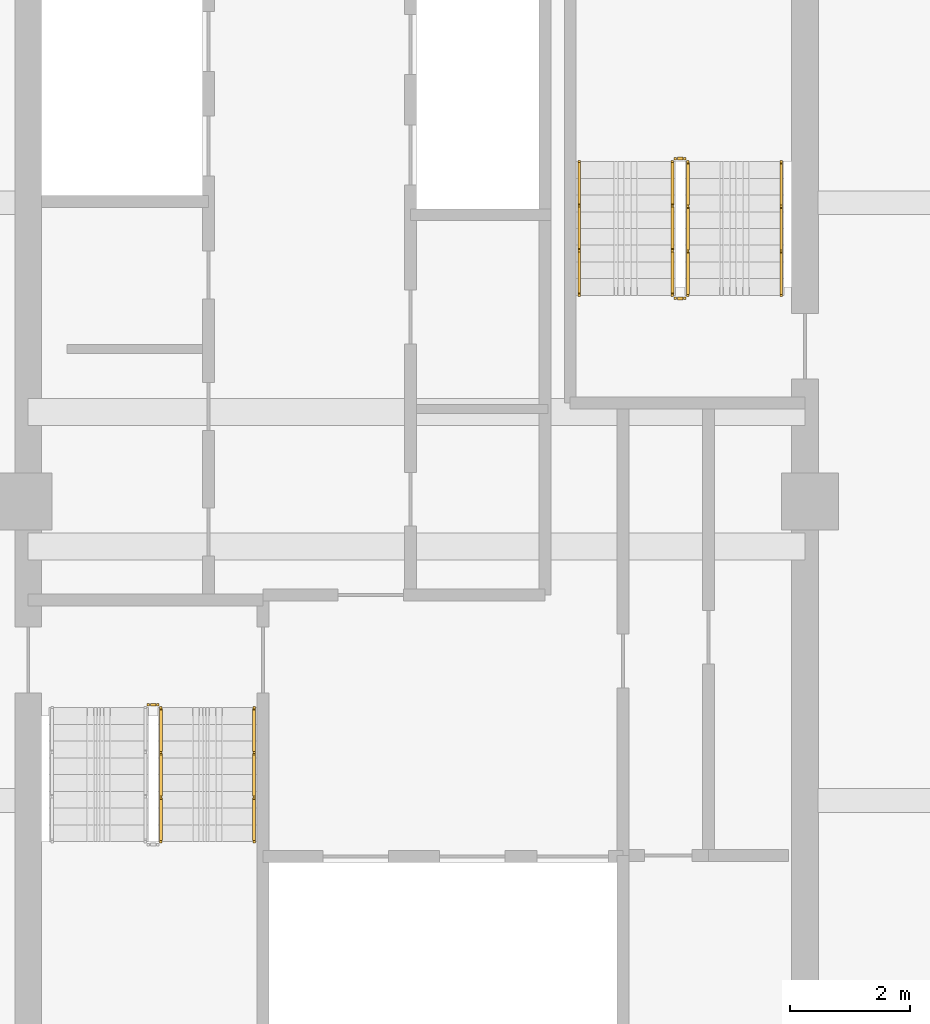
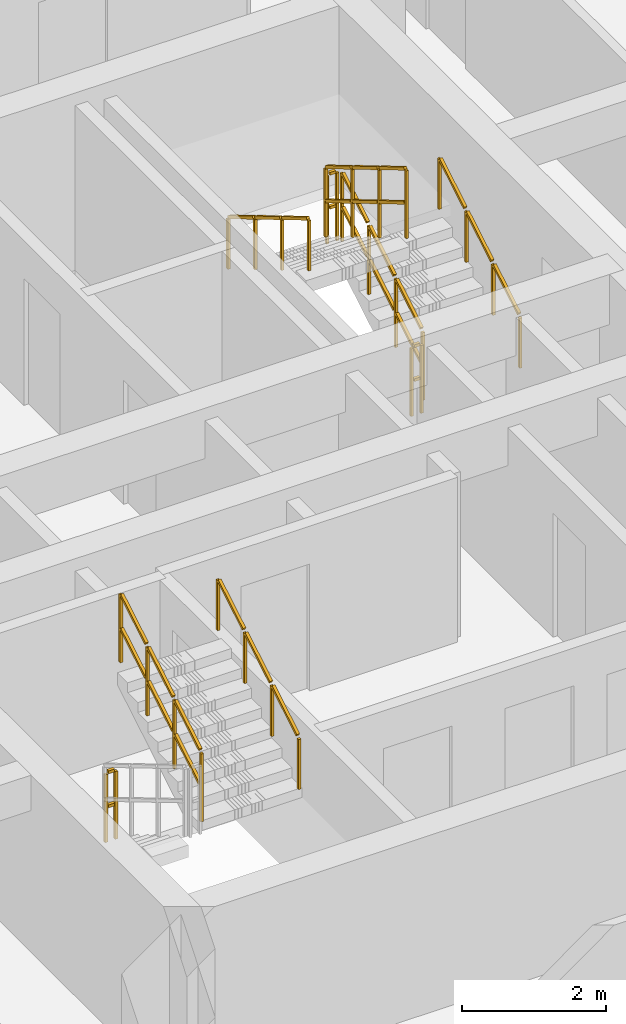
# One storey, part 10 of 12: 9 railings.
"""IFC4 building model written with IfcOpenShell, lengths in metres."""

from ifc_helpers import new_model, si_unit, direction, frame, origin, origin_2d, place, context, subcontext, project, spatial, rectangle, extrude, material, type_object, element, save


model = new_model("IFC4")

# Units and contexts
model_context = context("Model", 3, precision=1e-05, world=origin(), true_north=direction((0.0, 1.0)))
body_context = subcontext(model_context, "Body", "Model", "MODEL_VIEW")
ifc_project = project(units=[si_unit("LENGTHUNIT", "METRE"), si_unit("AREAUNIT", "SQUARE_METRE"), si_unit("VOLUMEUNIT", "CUBIC_METRE"), si_unit("PLANEANGLEUNIT", "RADIAN"), si_unit("MASSUNIT", "GRAM", prefix="KILO")], contexts=[model_context])

# Site, building, storey
site_placement = place(None, origin())
site = spatial("IfcSite", under=ifc_project, at=site_placement, CompositionType="ELEMENT")
building_placement = place(site_placement, origin())
building = spatial("IfcBuilding", under=site, at=building_placement, Name="Saelheon Loggia Tower", CompositionType="ELEMENT")
storey_placement = place(building_placement, frame((0.0, 0.0, 240.0)))
storey = spatial("IfcBuildingStorey", under=building, at=storey_placement, Name="L74", CompositionType="ELEMENT", Elevation=240.0)

# Railings
ifc_material_1 = material(Name="Galvanised Steel S275 Stairwell Guardrail", Category="steel")
railing_type_1 = type_object("IfcRailingType", Name="Guard_StairWell_RL_STG", PredefinedType="GUARDRAIL", material=ifc_material_1)
railing_1_placement = place(storey_placement, frame((33.719970703125, 21.31005859375, 1.666748046875)))
element("IfcRailing", 1, at=railing_1_placement, inside=storey, type_object=railing_type_1, Name="L74 ST1 stair guard 3", PredefinedType="GUARDRAIL", context=body_context, shape_type="SweptSolid", body=[
    extrude(rectangle(XDim=0.048095703125, YDim=0.048095703125, at=origin_2d()), frame((0.0, 0.028564453125, 1.19287109375), z_axis=(0.0, 0.859305625298, 0.511462454469), x_axis=(-1.0, 0.0, 0.0)), (0.0, 0.0, 1.0), 0.802490234375),
    extrude(rectangle(XDim=0.048095703125, YDim=0.048095703125, at=origin_2d()), frame((0.0, 0.028564453125, 0.616943359375), z_axis=(0.0, 0.859305625298, 0.511462454469), x_axis=(-1.0, 0.0, 0.0)), (0.0, 0.0, 1.0), 0.802490234375),
    extrude(rectangle(XDim=0.048095703125, YDim=0.048095703125, at=origin_2d()), frame((0.0, 0.775146484375, 1.63720703125), z_axis=(0.0, 0.859305625298, 0.511462454469), x_axis=(-1.0, 0.0, 0.0)), (0.0, 0.0, 1.0), 0.802490234375),
    extrude(rectangle(XDim=0.048095703125, YDim=0.048095703125, at=origin_2d()), frame((0.0, 0.775146484375, 1.061279296875), z_axis=(0.0, 0.859305625298, 0.511462454469), x_axis=(-1.0, 0.0, 0.0)), (0.0, 0.0, 1.0), 0.802490234375),
    extrude(rectangle(XDim=0.048095703125, YDim=0.048095703125, at=origin_2d()), frame((0.0, 1.52197265625, 2.081787109375), z_axis=(0.0, 0.859305625298, 0.511462454469), x_axis=(-1.0, 0.0, 0.0)), (0.0, 0.0, 1.0), 0.802490234375),
    extrude(rectangle(XDim=0.048095703125, YDim=0.048095703125, at=origin_2d()), frame((0.0, 1.52197265625, 1.505859375), z_axis=(0.0, 0.859305625298, 0.511462454469), x_axis=(-1.0, 0.0, 0.0)), (0.0, 0.0, 1.0), 0.802490234375),
    extrude(rectangle(XDim=0.0419921875, YDim=0.0419921875, at=origin_2d()), origin(), (0.0, 0.0, 1.0), 1.14794921875),
    extrude(rectangle(XDim=0.0419921875, YDim=0.0419921875, at=origin_2d()), frame((0.0, 0.74658203125, 0.4443359375)), (0.0, 0.0, 1.0), 1.14794921875),
    extrude(rectangle(XDim=0.0419921875, YDim=0.0419921875, at=origin_2d()), frame((0.0, 1.493408203125, 0.888916015625)), (0.0, 0.0, 1.0), 1.14794921875),
    extrude(rectangle(XDim=0.0419921875, YDim=0.0419921875, at=origin_2d()), frame((0.0, 2.239990234375, 1.333251953125)), (0.0, 0.0, 1.0), 1.14794921875),
])
railing_2_placement = place(storey_placement, frame((33.510009765625, 23.60009765625, 0.0)))
element("IfcRailing", 2, at=railing_2_placement, inside=storey, type_object=railing_type_1, Name="L74 ST1 stair guard 4", PredefinedType="GUARDRAIL", context=body_context, shape_type="SweptSolid", body=[
    extrude(rectangle(XDim=0.048095703125, YDim=0.048095703125, at=origin_2d()), frame((0.033203125, 0.0, 1.17578125), z_axis=(1.0, 0.0, 0.0), x_axis=(0.0, 1.0, 0.0)), (0.0, 0.0, 1.0), 0.093505859375),
    extrude(rectangle(XDim=0.048095703125, YDim=0.048095703125, at=origin_2d()), frame((0.033203125, 0.0, 0.60009765625), z_axis=(1.0, 0.0, 0.0), x_axis=(0.0, 1.0, 0.0)), (0.0, 0.0, 1.0), 0.093505859375),
    extrude(rectangle(XDim=0.0419921875, YDim=0.0419921875, at=origin_2d()), origin(), (0.0, 0.0, 1.0), 1.14794921875),
    extrude(rectangle(XDim=0.0419921875, YDim=0.0419921875, at=origin_2d()), frame((0.159912109375, 0.0, 0.0)), (0.0, 0.0, 1.0), 1.14794921875),
])
railing_3_placement = place(storey_placement, frame((42.5400390625, 30.449951171875, 0.166748046875)))
element("IfcRailing", 3, at=railing_3_placement, inside=storey, type_object=railing_type_1, Name="L74 ST2 stair guard 1", PredefinedType="GUARDRAIL", context=body_context, shape_type="SweptSolid", body=[
    extrude(rectangle(XDim=0.048095703125, YDim=0.048095703125, at=origin_2d()), frame((0.0, 0.028564453125, 1.19287109375), z_axis=(0.0, 0.859305625298, 0.511462454469), x_axis=(-1.0, 0.0, 0.0)), (0.0, 0.0, 1.0), 0.802490234375),
    extrude(rectangle(XDim=0.048095703125, YDim=0.048095703125, at=origin_2d()), frame((0.0, 0.028564453125, 0.616943359375), z_axis=(0.0, 0.859305625298, 0.511462454469), x_axis=(-1.0, 0.0, 0.0)), (0.0, 0.0, 1.0), 0.802490234375),
    extrude(rectangle(XDim=0.048095703125, YDim=0.048095703125, at=origin_2d()), frame((0.0, 0.775146484375, 1.63720703125), z_axis=(0.0, 0.859305625298, 0.511462454469), x_axis=(-1.0, 0.0, 0.0)), (0.0, 0.0, 1.0), 0.802490234375),
    extrude(rectangle(XDim=0.048095703125, YDim=0.048095703125, at=origin_2d()), frame((0.0, 0.775146484375, 1.061279296875), z_axis=(0.0, 0.859305625298, 0.511462454469), x_axis=(-1.0, 0.0, 0.0)), (0.0, 0.0, 1.0), 0.802490234375),
    extrude(rectangle(XDim=0.048095703125, YDim=0.048095703125, at=origin_2d()), frame((0.0, 1.52197265625, 2.081787109375), z_axis=(0.0, 0.859305625298, 0.511462454469), x_axis=(-1.0, 0.0, 0.0)), (0.0, 0.0, 1.0), 0.802490234375),
    extrude(rectangle(XDim=0.048095703125, YDim=0.048095703125, at=origin_2d()), frame((0.0, 1.52197265625, 1.505859375), z_axis=(0.0, 0.859305625298, 0.511462454469), x_axis=(-1.0, 0.0, 0.0)), (0.0, 0.0, 1.0), 0.802490234375),
    extrude(rectangle(XDim=0.0419921875, YDim=0.0419921875, at=origin_2d()), origin(), (0.0, 0.0, 1.0), 1.14794921875),
    extrude(rectangle(XDim=0.0419921875, YDim=0.0419921875, at=origin_2d()), frame((0.0, 0.74658203125, 0.4443359375)), (0.0, 0.0, 1.0), 1.14794921875),
    extrude(rectangle(XDim=0.0419921875, YDim=0.0419921875, at=origin_2d()), frame((0.0, 1.493408203125, 0.888916015625)), (0.0, 0.0, 1.0), 1.14794921875),
    extrude(rectangle(XDim=0.0419921875, YDim=0.0419921875, at=origin_2d()), frame((0.0, 2.239990234375, 1.333251953125)), (0.0, 0.0, 1.0), 1.14794921875),
])
railing_4_placement = place(storey_placement, frame((42.489990234375, 32.739990234375, 1.5)))
element("IfcRailing", 4, at=railing_4_placement, inside=storey, type_object=railing_type_1, Name="L74 ST2 stair guard 2", PredefinedType="GUARDRAIL", context=body_context, shape_type="SweptSolid", body=[
    extrude(rectangle(XDim=0.048095703125, YDim=0.048095703125, at=origin_2d()), frame((-0.033203125, 0.0, 1.17578125), z_axis=(-1.0, 0.0, 0.0), x_axis=(0.0, -1.0, 0.0)), (0.0, 0.0, 1.0), 0.093505859375),
    extrude(rectangle(XDim=0.048095703125, YDim=0.048095703125, at=origin_2d()), frame((-0.033203125, 0.0, 0.60009765625), z_axis=(-1.0, 0.0, 0.0), x_axis=(0.0, -1.0, 0.0)), (0.0, 0.0, 1.0), 0.093505859375),
    extrude(rectangle(XDim=0.0419921875, YDim=0.0419921875, at=origin_2d()), origin(), (0.0, 0.0, 1.0), 1.14794921875),
    extrude(rectangle(XDim=0.0419921875, YDim=0.0419921875, at=origin_2d()), frame((-0.159912109375, 0.0, 0.0)), (0.0, 0.0, 1.0), 1.14794921875),
])
railing_5_placement = place(storey_placement, frame((42.280029296875, 32.68994140625, 1.666748046875)))
element("IfcRailing", 5, at=railing_5_placement, inside=storey, type_object=railing_type_1, Name="L74 ST2 stair guard 3", PredefinedType="GUARDRAIL", context=body_context, shape_type="SweptSolid", body=[
    extrude(rectangle(XDim=0.048095703125, YDim=0.048095703125, at=origin_2d()), frame((0.0, -0.028564453125, 1.19287109375), z_axis=(0.0, -0.859305625298, 0.511462454469), x_axis=(1.0, 0.0, 0.0)), (0.0, 0.0, 1.0), 0.802490234375),
    extrude(rectangle(XDim=0.048095703125, YDim=0.048095703125, at=origin_2d()), frame((0.0, -0.028564453125, 0.616943359375), z_axis=(0.0, -0.859305625298, 0.511462454469), x_axis=(1.0, 0.0, 0.0)), (0.0, 0.0, 1.0), 0.802490234375),
    extrude(rectangle(XDim=0.048095703125, YDim=0.048095703125, at=origin_2d()), frame((0.0, -0.775146484375, 1.63720703125), z_axis=(0.0, -0.859305625298, 0.511462454469), x_axis=(1.0, 0.0, 0.0)), (0.0, 0.0, 1.0), 0.802490234375),
    extrude(rectangle(XDim=0.048095703125, YDim=0.048095703125, at=origin_2d()), frame((0.0, -0.775146484375, 1.061279296875), z_axis=(0.0, -0.859305625298, 0.511462454469), x_axis=(1.0, 0.0, 0.0)), (0.0, 0.0, 1.0), 0.802490234375),
    extrude(rectangle(XDim=0.048095703125, YDim=0.048095703125, at=origin_2d()), frame((0.0, -1.52197265625, 2.081787109375), z_axis=(0.0, -0.859305625298, 0.511462454469), x_axis=(1.0, 0.0, 0.0)), (0.0, 0.0, 1.0), 0.802490234375),
    extrude(rectangle(XDim=0.048095703125, YDim=0.048095703125, at=origin_2d()), frame((0.0, -1.52197265625, 1.505859375), z_axis=(0.0, -0.859305625298, 0.511462454469), x_axis=(1.0, 0.0, 0.0)), (0.0, 0.0, 1.0), 0.802490234375),
    extrude(rectangle(XDim=0.0419921875, YDim=0.0419921875, at=origin_2d()), origin(), (0.0, 0.0, 1.0), 1.14794921875),
    extrude(rectangle(XDim=0.0419921875, YDim=0.0419921875, at=origin_2d()), frame((0.0, -0.74658203125, 0.4443359375)), (0.0, 0.0, 1.0), 1.14794921875),
    extrude(rectangle(XDim=0.0419921875, YDim=0.0419921875, at=origin_2d()), frame((0.0, -1.493408203125, 0.888916015625)), (0.0, 0.0, 1.0), 1.14794921875),
    extrude(rectangle(XDim=0.0419921875, YDim=0.0419921875, at=origin_2d()), frame((0.0, -2.239990234375, 1.333251953125)), (0.0, 0.0, 1.0), 1.14794921875),
])
railing_6_placement = place(storey_placement, frame((42.489990234375, 30.39990234375, 0.0)))
element("IfcRailing", 6, at=railing_6_placement, inside=storey, type_object=railing_type_1, Name="L74 ST2 stair guard 4", PredefinedType="GUARDRAIL", context=body_context, shape_type="SweptSolid", body=[
    extrude(rectangle(XDim=0.048095703125, YDim=0.048095703125, at=origin_2d()), frame((-0.033203125, 0.0, 1.17578125), z_axis=(-1.0, 0.0, 0.0), x_axis=(0.0, -1.0, 0.0)), (0.0, 0.0, 1.0), 0.093505859375),
    extrude(rectangle(XDim=0.048095703125, YDim=0.048095703125, at=origin_2d()), frame((-0.033203125, 0.0, 0.60009765625), z_axis=(-1.0, 0.0, 0.0), x_axis=(0.0, -1.0, 0.0)), (0.0, 0.0, 1.0), 0.093505859375),
    extrude(rectangle(XDim=0.0419921875, YDim=0.0419921875, at=origin_2d()), origin(), (0.0, 0.0, 1.0), 1.14794921875),
    extrude(rectangle(XDim=0.0419921875, YDim=0.0419921875, at=origin_2d()), frame((-0.159912109375, 0.0, 0.0)), (0.0, 0.0, 1.0), 1.14794921875),
])
ifc_material_2 = material(Name="Stainless Steel 304 Tubular Handrail", Category="steel")
railing_type_2 = type_object("IfcRailingType", Name="Handrail_Stair_RL_HR1", PredefinedType="HANDRAIL", material=ifc_material_2)
for number, where, name in (
    (7, (35.280029296875, 21.31005859375, 1.666748046875), "L74 ST1 stair handrail 2"),
    (8, (44.10009765625, 30.449951171875, 0.166748046875), "L74 ST2 stair handrail 1"),
):
    element("IfcRailing", number, at=place(storey_placement, frame(where)), inside=storey, type_object=railing_type_2, Name=name, PredefinedType="HANDRAIL", context=body_context, shape_type="SweptSolid", body=[
        extrude(rectangle(XDim=0.048095703125, YDim=0.048095703125, at=origin_2d()), frame((0.0, 0.028564453125, 0.892822265625), z_axis=(0.0, 0.859305625298, 0.511462454469), x_axis=(-1.0, 0.0, 0.0)), (0.0, 0.0, 1.0), 0.802490234375),
        extrude(rectangle(XDim=0.048095703125, YDim=0.048095703125, at=origin_2d()), frame((0.0, 0.775146484375, 1.337158203125), z_axis=(0.0, 0.859305625298, 0.511462454469), x_axis=(-1.0, 0.0, 0.0)), (0.0, 0.0, 1.0), 0.802490234375),
        extrude(rectangle(XDim=0.048095703125, YDim=0.048095703125, at=origin_2d()), frame((0.0, 1.52197265625, 1.78173828125), z_axis=(0.0, 0.859305625298, 0.511462454469), x_axis=(-1.0, 0.0, 0.0)), (0.0, 0.0, 1.0), 0.802490234375),
        extrude(rectangle(XDim=0.0419921875, YDim=0.0419921875, at=origin_2d()), origin(), (0.0, 0.0, 1.0), 0.847900390625),
        extrude(rectangle(XDim=0.0419921875, YDim=0.0419921875, at=origin_2d()), frame((0.0, 0.74658203125, 0.4443359375)), (0.0, 0.0, 1.0), 0.847900390625),
        extrude(rectangle(XDim=0.0419921875, YDim=0.0419921875, at=origin_2d()), frame((0.0, 1.493408203125, 0.888916015625)), (0.0, 0.0, 1.0), 0.847900390625),
        extrude(rectangle(XDim=0.0419921875, YDim=0.0419921875, at=origin_2d()), frame((0.0, 2.239990234375, 1.333251953125)), (0.0, 0.0, 1.0), 0.847900390625),
    ])
railing_7_placement = place(storey_placement, frame((40.719970703125, 32.68994140625, 1.666748046875)))
element("IfcRailing", 9, at=railing_7_placement, inside=storey, type_object=railing_type_2, Name="L74 ST2 stair handrail 2", PredefinedType="HANDRAIL", context=body_context, shape_type="SweptSolid", body=[
    extrude(rectangle(XDim=0.048095703125, YDim=0.048095703125, at=origin_2d()), frame((0.0, -0.028564453125, 0.892822265625), z_axis=(0.0, -0.859305625298, 0.511462454469), x_axis=(1.0, 0.0, 0.0)), (0.0, 0.0, 1.0), 0.802490234375),
    extrude(rectangle(XDim=0.048095703125, YDim=0.048095703125, at=origin_2d()), frame((0.0, -0.775146484375, 1.337158203125), z_axis=(0.0, -0.859305625298, 0.511462454469), x_axis=(1.0, 0.0, 0.0)), (0.0, 0.0, 1.0), 0.802490234375),
    extrude(rectangle(XDim=0.048095703125, YDim=0.048095703125, at=origin_2d()), frame((0.0, -1.52197265625, 1.78173828125), z_axis=(0.0, -0.859305625298, 0.511462454469), x_axis=(1.0, 0.0, 0.0)), (0.0, 0.0, 1.0), 0.802490234375),
    extrude(rectangle(XDim=0.0419921875, YDim=0.0419921875, at=origin_2d()), origin(), (0.0, 0.0, 1.0), 0.847900390625),
    extrude(rectangle(XDim=0.0419921875, YDim=0.0419921875, at=origin_2d()), frame((0.0, -0.74658203125, 0.4443359375)), (0.0, 0.0, 1.0), 0.847900390625),
    extrude(rectangle(XDim=0.0419921875, YDim=0.0419921875, at=origin_2d()), frame((0.0, -1.493408203125, 0.888916015625)), (0.0, 0.0, 1.0), 0.847900390625),
    extrude(rectangle(XDim=0.0419921875, YDim=0.0419921875, at=origin_2d()), frame((0.0, -2.239990234375, 1.333251953125)), (0.0, 0.0, 1.0), 0.847900390625),
])

save(model, "model.ifc")
